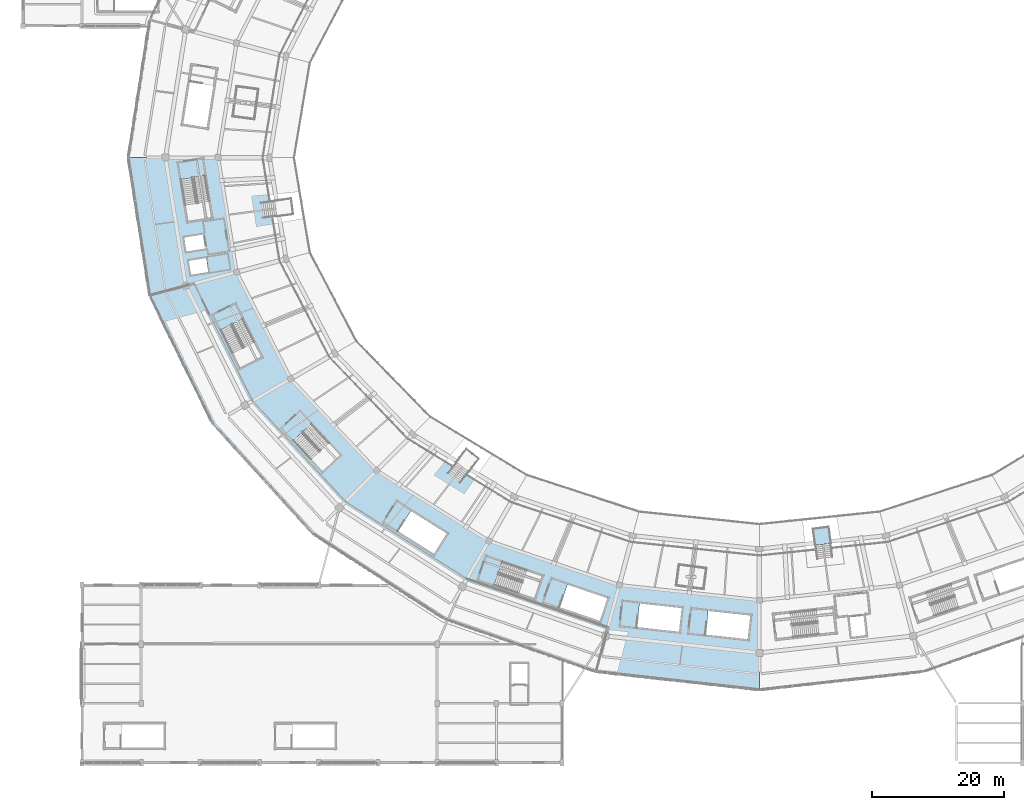
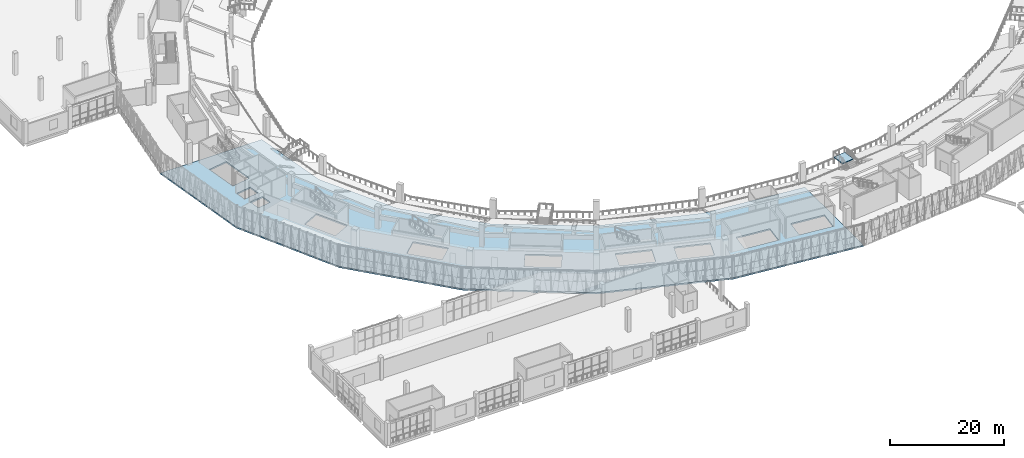
# One storey, part 74 of 152: 2 slabs, 1 element without a shape of its own.
"""IFC4 building model written with IfcOpenShell, lengths in metres."""

from ifc_helpers import new_model, si_unit, direction, frame, origin, place, context, subcontext, project, spatial, polyline, outline, extrude, material, layer, layer_set, type_object, element, aggregate, save


model = new_model("IFC4")

# Units and contexts
model_context = context("Model", 3, precision=1e-05, world=origin(), true_north=direction((0.0, 1.0)))
body_context = subcontext(model_context, "Body", "Model", "MODEL_VIEW")
ifc_project = project(units=[si_unit("LENGTHUNIT", "METRE"), si_unit("AREAUNIT", "SQUARE_METRE"), si_unit("VOLUMEUNIT", "CUBIC_METRE"), si_unit("PLANEANGLEUNIT", "RADIAN"), si_unit("MASSUNIT", "GRAM", prefix="KILO")], contexts=[model_context])

# Site, building, storey
site_placement = place(None, origin())
site = spatial("IfcSite", under=ifc_project, at=site_placement, CompositionType="ELEMENT")
building_placement = place(site_placement, origin())
building = spatial("IfcBuilding", under=site, at=building_placement, Name="Zevraka Park Crest Stadium", CompositionType="ELEMENT")
storey_placement = place(building_placement, frame((0.0, 0.0, 15.0)))
storey = spatial("IfcBuildingStorey", under=building, at=storey_placement, Name="L03", CompositionType="ELEMENT", Elevation=15.0)

# Slab
ifc_material_1 = material(Name="Concrete C35/45", Category="concrete")
ifc_layer_1 = layer(ifc_material_1, 0.300048828125)
ifc_layer_set_1 = layer_set([ifc_layer_1], Name="Concrete C35/45")
slab_type_1 = type_object("IfcSlabType", Name="FS01", PredefinedType="FLOOR", material=ifc_layer_set_1)
slab_1_placement = place(storey_placement, frame((0.0, 0.0, -0.300048828125)))
element("IfcSlab", 1, at=slab_1_placement, inside=storey, type_object=slab_type_1, Name="Bowl Concourse Ring Slab L03 Q3-SW-1", PredefinedType="FLOOR", context=body_context, shape_type="SweptSolid", body=[
    extrude(outline(polyline([(39.12109375, 76.35400390625), (46.657958984375, 61.77490234375), (58.64892578125, 49.2548828125), (74.27490234375, 39.64892578125), (92.471923828125, 33.610107421875), (112.0, 31.550048828125), (112.0, 11.0), (87.153076171875, 13.760009765625), (64.0, 21.85205078125), (44.117919921875, 34.72412109375), (28.862060546875, 51.5), (19.27099609375, 71.035888671875), (16.0, 92.0), (36.550048828125, 92.0), (39.12109375, 76.35400390625)]), holes=[polyline([(110.714111328125, 22.431884765625), (104.23193359375, 23.136962890625), (103.824951171875, 19.39892578125), (110.306884765625, 18.694091796875), (110.714111328125, 22.431884765625)]), polyline([(100.27587890625, 23.568115234375), (93.7939453125, 24.27294921875), (93.386962890625, 20.534912109375), (99.868896484375, 19.830078125), (100.27587890625, 23.568115234375)]), polyline([(89.0, 25.028076171875), (82.83203125, 27.14111328125), (81.614013671875, 23.5830078125), (87.781982421875, 21.470947265625), (89.0, 25.028076171875)]), polyline([(77.847900390625, 24.8720703125), (79.06591796875, 28.428955078125), (72.89794921875, 30.5419921875), (71.679931640625, 26.98388671875), (77.847900390625, 24.8720703125)]), polyline([(62.5458984375, 31.6708984375), (64.56005859375, 34.845947265625), (59.054931640625, 38.339111328125), (57.0400390625, 35.1640625), (62.5458984375, 31.6708984375)]), polyline([(48.339111328125, 46.748046875), (43.904052734375, 51.527099609375), (41.14794921875, 48.969970703125), (45.5830078125, 44.19091796875), (48.339111328125, 46.748046875)]), polyline([(36.384033203125, 61.631103515625), (33.464111328125, 67.4599609375), (30.10205078125, 65.77587890625), (33.02294921875, 59.947021484375), (36.384033203125, 61.631103515625)]), polyline([(28.23291015625, 74.580078125), (27.887939453125, 76.7529296875), (25.220947265625, 76.330078125), (25.56591796875, 74.156982421875), (28.23291015625, 74.580078125)]), polyline([(24.85302734375, 77.68896484375), (27.81591796875, 78.159912109375), (27.470947265625, 80.3330078125), (24.508056640625, 79.862060546875), (24.85302734375, 77.68896484375)]), polyline([(25.054931640625, 82.217041015625), (28.76806640625, 82.80810546875), (27.742919921875, 89.2470703125), (24.030029296875, 88.655029296875), (25.054931640625, 82.217041015625)])]), origin(), (0.0, 0.0, 1.0), 0.300048828125),
])

# Stair, slab
ifc_material_2 = material(Name="Concrete C35/45", Category="concrete")
stair_type = type_object("IfcStairType", Name="VST1", PredefinedType="STRAIGHT_RUN_STAIR", material=ifc_material_2)
stair_placement = place(storey_placement, origin())
stair = element("IfcStair", 2, at=stair_placement, inside=storey, type_object=stair_type, Name="Vomitory Stair VS-15", PredefinedType="STRAIGHT_RUN_STAIR")
ifc_material_3 = material(Name="Concrete C35/45", Category="concrete")
ifc_layer_2 = layer(ifc_material_3, 0.179931640625)
ifc_layer_set_2 = layer_set([ifc_layer_2], Name="Concrete C35/45")
slab_type_2 = type_object("IfcSlabType", Name="LS02", PredefinedType="LANDING", material=ifc_layer_set_2)
slab_2_placement = place(storey_placement, frame((0.0, 0.0, 1.02001953125)))
slab_2 = element("IfcSlab", 3, at=slab_2_placement, type_object=slab_type_2, Name="VST1 landing 1", PredefinedType="LANDING", context=body_context, shape_type="SweptSolid", body=[
    extrude(outline(polyline([(122.873046875, 33.347900390625), (122.54296875, 35.85107421875), (120.1640625, 35.5380859375), (120.492919921875, 33.034912109375), (122.873046875, 33.347900390625)])), origin(), (0.0, 0.0, 1.0), 0.179931640625),
])
aggregate(stair, [slab_2])

save(model, "model.ifc")
